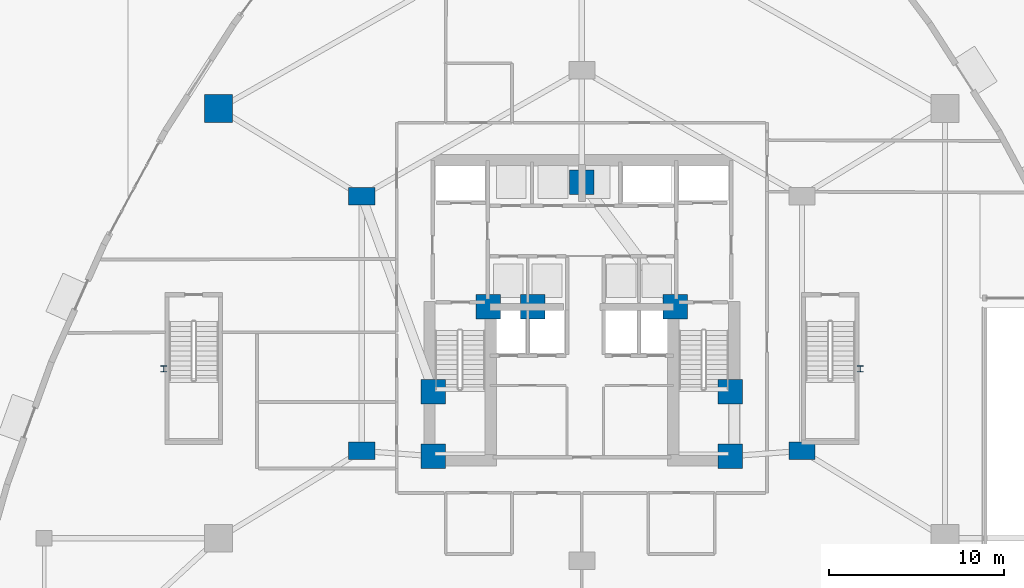
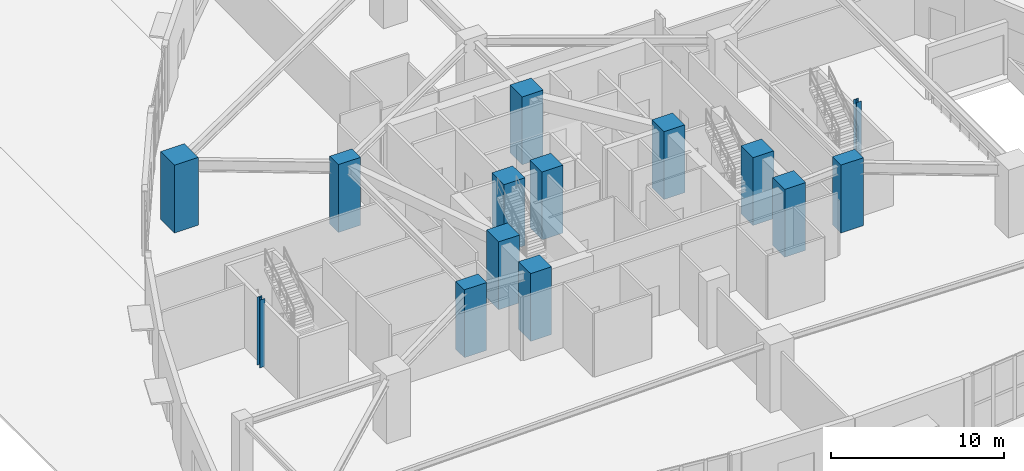
# One storey, part 2 of 32: 14 columns.
"""IFC4 building model written with IfcOpenShell, lengths in metres."""

from ifc_helpers import new_model, si_unit, direction, frame, origin, origin_2d, place, context, subcontext, project, spatial, rectangle, i_section, extrude, material, material_profile, profile_set, type_object, element, save


model = new_model("IFC4")

# Units and contexts
model_context = context("Model", 3, precision=1e-05, world=origin(), true_north=direction((0.0, 1.0)))
body_context = subcontext(model_context, "Body", "Model", "MODEL_VIEW")
ifc_project = project(units=[si_unit("LENGTHUNIT", "METRE"), si_unit("AREAUNIT", "SQUARE_METRE"), si_unit("VOLUMEUNIT", "CUBIC_METRE"), si_unit("PLANEANGLEUNIT", "RADIAN"), si_unit("MASSUNIT", "GRAM", prefix="KILO")], contexts=[model_context])

# Site, building, storey
site_placement = place(None, origin())
site = spatial("IfcSite", under=ifc_project, at=site_placement, CompositionType="ELEMENT")
building_placement = place(site_placement, origin())
building = spatial("IfcBuilding", under=site, at=building_placement, Name="Miruveldt Soraemaru", CompositionType="ELEMENT")
storey_placement = place(building_placement, origin())
storey = spatial("IfcBuildingStorey", under=building, at=storey_placement, Name="L01", CompositionType="ELEMENT", Elevation=0.0)

# Columns
ifc_material_1 = material(Name="Concrete C80/95 (80 MPa)", Category="concrete")
ifc_material_profile_1 = material_profile(ifc_material_1, rectangle(XDim=1.39990234375, YDim=1.39990234375, at=origin_2d()), Name="Concrete C80/95 (80 MPa)", Category="concrete")
ifc_profile_set_1 = profile_set([ifc_material_profile_1], Name="Concrete C80/95 (80 MPa)")
column_type_1 = type_object("IfcColumnType", Name="COL-MEGA-1400", PredefinedType="COLUMN", material=ifc_profile_set_1)
for number, where, z_axis, x_axis, name in (
    (1, (35.5, 35.5, 0.0), (0.0, 0.0, 1.0), (1.0, 0.0, 0.0), "L01 Structural Column CC1"),
    (2, (38.64990234375, 44.050048828125, 0.0), (0.0, 0.0, 1.0), (1.0, 0.0, 0.0), "L01 Structural Column CC2"),
    (3, (52.5, 35.5, 0.0), (0.0, 0.0, 1.0), (1.0, 0.0, 0.0), "L01 Structural Column CC3"),
    (4, (52.5, 39.199951171875, 0.0), (0.0, 0.0, 1.0), (1.0, 0.0, 0.0), "L01 Structural Column CC4"),
    (5, (49.35009765625, 44.050048828125, 0.0), (0.0, 0.0, 1.0), (1.0, 0.0, 0.0), "L01 Structural Column CC5"),
    (6, (44.0, 51.199951171875, 0.0), (0.0, 0.0, 1.0), (1.0, 0.0, 0.0), "L01 Structural Column CC6"),
    (7, (35.5, 39.199951171875, 0.0), (0.0, 0.0, 1.0), (1.0, 0.0, 0.0), "L01 Structural Column CC7"),
    (8, (41.199951171875, 44.050048828125, 0.0), (0.0, 0.0, 1.0), (1.0, 0.0, 0.0), "L01 Structural Column CC8"),
):
    element("IfcColumn", number, at=place(storey_placement, frame(where, z_axis=z_axis, x_axis=x_axis)), inside=storey, type_object=column_type_1, Name=name, PredefinedType="COLUMN", context=body_context, shape_type="SweptSolid", body=[
        extrude(rectangle(XDim=1.39990234375, YDim=1.39990234375, at=origin_2d()), origin(), (0.0, 0.0, 1.0), 4.800048828125),
    ])
ifc_material_profile_2 = material_profile(ifc_material_1, rectangle(XDim=1.60009765625, YDim=1.60009765625, at=origin_2d()), Name="Concrete C80/95 (80 MPa)", Category="concrete")
ifc_profile_set_2 = profile_set([ifc_material_profile_2], Name="Concrete C80/95 (80 MPa)")
column_type_2 = type_object("IfcColumnType", Name="COL-MEGA-1600", PredefinedType="COLUMN", material=ifc_profile_set_2)
column_placement = place(storey_placement, frame((23.199951171875, 55.39990234375, 0.0), z_axis=(0.0, 0.0, 1.0), x_axis=(1.0, 0.0, 0.0)))
element("IfcColumn", 9, at=column_placement, inside=storey, type_object=column_type_2, Name="L01 Structural Column PM06", PredefinedType="COLUMN", context=body_context, shape_type="SweptSolid", body=[
    extrude(rectangle(XDim=1.60009765625, YDim=1.60009765625, at=origin_2d()), origin(), (0.0, 0.0, 1.0), 4.800048828125),
])
ifc_material_2 = material(Name="Steel SM355 (355 MPa)", Category="steel")
ifc_material_profile_3 = material_profile(ifc_material_2, i_section(OverallWidth=0.35009765625, OverallDepth=0.35009765625, WebThickness=0.011962890625, FlangeThickness=0.01904296875, FilletRadius=0.02001953125, at=origin_2d()), Name="Steel SM355 (355 MPa)", Category="steel")
ifc_profile_set_3 = profile_set([ifc_material_profile_3], Name="Steel SM355 (355 MPa)")
column_type_3 = type_object("IfcColumnType", Name="COL-PIL-350", PredefinedType="PILASTER", material=ifc_profile_set_3)
for number, where, z_axis, x_axis, name in (
    (10, (20.050048828125, 40.5, 0.0), (0.0, 0.0, 1.0), (1.0, 0.0, 0.0), "L01 Structural Column PIL1"),
    (11, (59.949951171875, 40.5, 0.0), (0.0, 0.0, 1.0), (1.0, 0.0, 0.0), "L01 Structural Column PIL2"),
):
    element("IfcColumn", number, at=place(storey_placement, frame(where, z_axis=z_axis, x_axis=x_axis)), inside=storey, type_object=column_type_3, Name=name, PredefinedType="PILASTER", context=body_context, shape_type="SweptSolid", body=[
        extrude(i_section(OverallWidth=0.35009765625, OverallDepth=0.35009765625, WebThickness=0.011962890625, FlangeThickness=0.01904296875, FilletRadius=0.02001953125, at=origin_2d()), origin(), (0.0, 0.0, 1.0), 4.800048828125),
    ])
ifc_material_profile_4 = material_profile(ifc_material_1, rectangle(XDim=1.5, YDim=1.0, at=origin_2d()), Name="Concrete C80/95 (80 MPa)", Category="concrete")
ifc_profile_set_4 = profile_set([ifc_material_profile_4], Name="Concrete C80/95 (80 MPa)")
column_type_4 = type_object("IfcColumnType", Name="COL-TW-Z1A", PredefinedType="COLUMN", material=ifc_profile_set_4)
for number, where, z_axis, x_axis, name in (
    (12, (56.60009765625, 35.800048828125, 0.0), (0.0, 0.0, 1.0), (1.0, 0.0, 0.0), "L01 Structural Column IR03"),
    (13, (31.39990234375, 35.800048828125, 0.0), (0.0, 0.0, 1.0), (1.0, 0.0, 0.0), "L01 Structural Column IR05"),
    (14, (31.39990234375, 50.39990234375, 0.0), (0.0, 0.0, 1.0), (1.0, 0.0, 0.0), "L01 Structural Column IR06"),
):
    element("IfcColumn", number, at=place(storey_placement, frame(where, z_axis=z_axis, x_axis=x_axis)), inside=storey, type_object=column_type_4, Name=name, PredefinedType="COLUMN", context=body_context, shape_type="SweptSolid", body=[
        extrude(rectangle(XDim=1.5, YDim=1.0, at=origin_2d()), origin(), (0.0, 0.0, 1.0), 4.800048828125),
    ])

save(model, "model.ifc")
